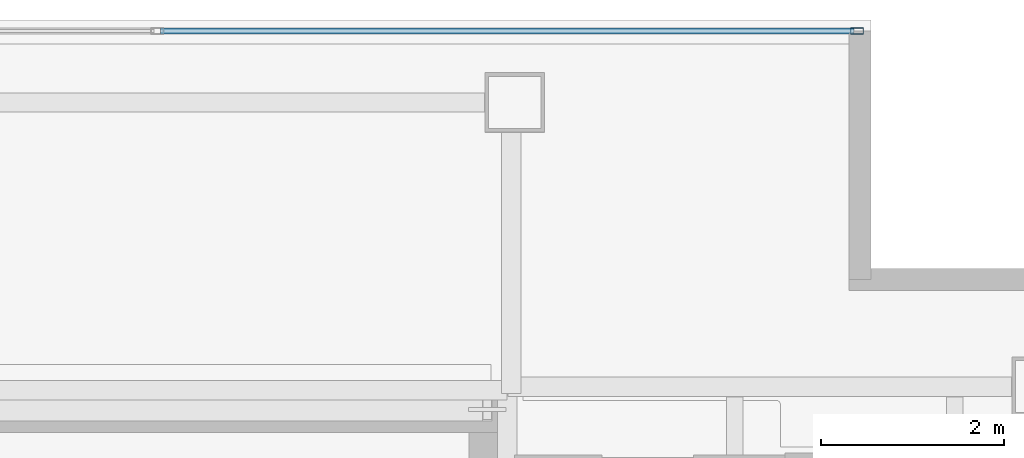
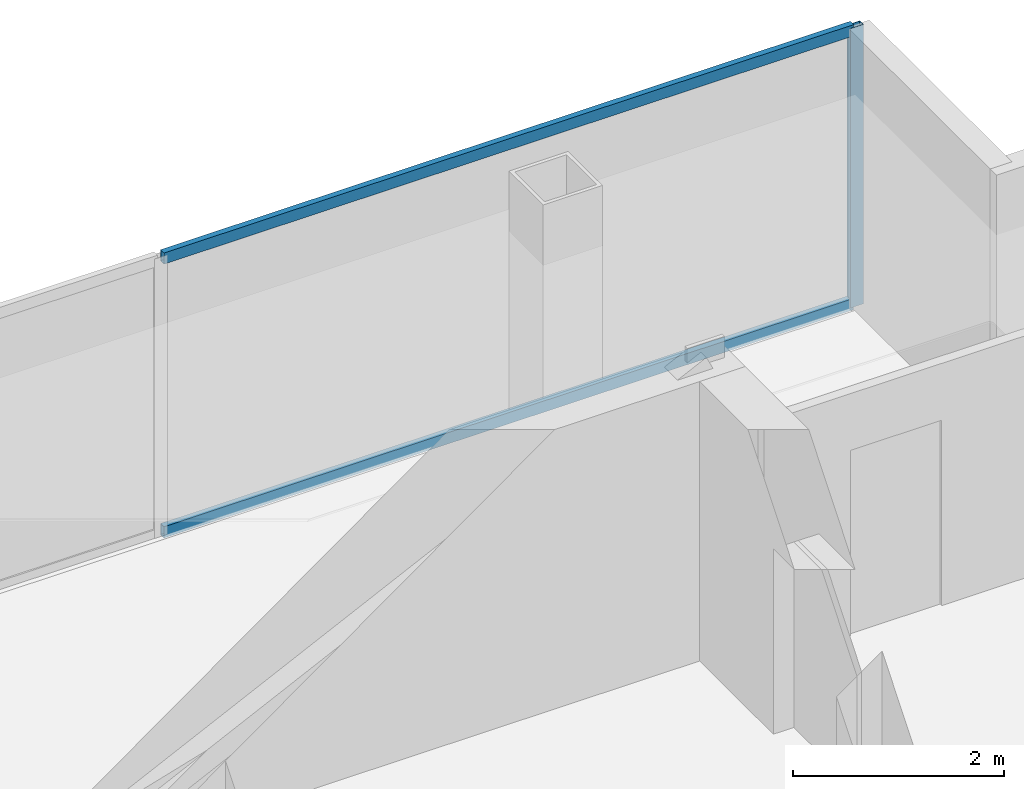
# One storey, part 18 of 23: 3 members, 1 element without a shape of its own.
"""IFC4 building model written with IfcOpenShell, lengths in metres."""

from ifc_helpers import new_model, si_unit, direction, frame, origin, origin_2d, place, context, subcontext, project, spatial, hollow_rectangle, extrude, material, material_profile, profile_set, type_object, element, aggregate, save


model = new_model("IFC4")

# Units and contexts
model_context = context("Model", 3, precision=1e-05, world=origin(), true_north=direction((0.0, 1.0)))
body_context = subcontext(model_context, "Body", "Model", "MODEL_VIEW")
ifc_project = project(units=[si_unit("LENGTHUNIT", "METRE"), si_unit("AREAUNIT", "SQUARE_METRE"), si_unit("VOLUMEUNIT", "CUBIC_METRE"), si_unit("PLANEANGLEUNIT", "RADIAN"), si_unit("MASSUNIT", "GRAM", prefix="KILO")], contexts=[model_context])

# Site, building, storey
site_placement = place(None, origin())
site = spatial("IfcSite", under=ifc_project, at=site_placement, CompositionType="ELEMENT")
building_placement = place(site_placement, origin())
building = spatial("IfcBuilding", under=site, at=building_placement, Name="Cobrela Telecom Tower", CompositionType="ELEMENT")
storey_placement = place(building_placement, frame((0.0, 0.0, 286.64990234375)))
storey = spatial("IfcBuildingStorey", under=building, at=storey_placement, Name="L75", CompositionType="ELEMENT", Elevation=286.64990234375)

# Curtain wall, members
ifc_material = material(Name="Anodized Bronze Aluminium 6063-T6", Category="aluminium")
curtain_wall_type = type_object("IfcCurtainWallType", Name="CW-SYS-OFF-HI", PredefinedType="USERDEFINED", material=ifc_material)
curtain_wall_placement = place(storey_placement, origin())
curtain_wall = element("IfcCurtainWall", 1, at=curtain_wall_placement, inside=storey, type_object=curtain_wall_type, Name="L75 Unitised Bronze Curtain Wall 05", ObjectType="UNITISED CURTAIN WALL", PredefinedType="USERDEFINED")
ifc_material_profile_1 = material_profile(ifc_material, hollow_rectangle(XDim=0.070068359375, YDim=0.139892578125, WallThickness=0.00390625, at=origin_2d()), Name="ALU 70x140x4")
ifc_profile_set_1 = profile_set([ifc_material_profile_1], Name="Anodized Bronze Aluminium 6063-T6")
member_type_1 = type_object("IfcMemberType", Name="CW-SYS-OFF-HI-MUL", PredefinedType="MULLION", material=ifc_profile_set_1)
member_1_placement = place(storey_placement, frame((18.135009765625, 39.8798828125, 0.0), z_axis=(0.0, 0.0, 1.0), x_axis=(0.0, 1.0, 0.0)))
member_1 = element("IfcMember", 2, at=member_1_placement, type_object=member_type_1, Name="CW-OFF-HI mullion 3", PredefinedType="MULLION", context=body_context, shape_type="SweptSolid", body=[
    extrude(hollow_rectangle(XDim=0.070068359375, YDim=0.139892578125, WallThickness=0.00390625, at=origin_2d()), origin(), (0.0, 0.0, 1.0), 3.239990234375),
])
ifc_material_profile_2 = material_profile(ifc_material, hollow_rectangle(XDim=0.06494140625, YDim=0.1298828125, WallThickness=0.00390625, at=origin_2d()), Name="ALU 65x130x4")
ifc_profile_set_2 = profile_set([ifc_material_profile_2], Name="Anodized Bronze Aluminium 6063-T6")
member_type_2 = type_object("IfcMemberType", Name="CW-SYS-OFF-HI-TRN", PredefinedType="USERDEFINED", material=ifc_profile_set_2)
member_2_placement = place(storey_placement, frame((10.534912109375, 39.8798828125, 0.03271484375), z_axis=(1.0, 0.0, 0.0), x_axis=(0.0, 1.0, 0.0)))
member_2 = element("IfcMember", 3, at=member_2_placement, type_object=member_type_2, Name="CW-OFF-HI transom 2.1", ObjectType="TRANSOM", PredefinedType="USERDEFINED", context=body_context, shape_type="SweptSolid", body=[
    extrude(hollow_rectangle(XDim=0.06494140625, YDim=0.1298828125, WallThickness=0.00390625, at=origin_2d()), origin(), (0.0, 0.0, 1.0), 7.565185546875),
])
member_3_placement = place(storey_placement, frame((10.534912109375, 39.8798828125, 3.20751953125), z_axis=(1.0, 0.0, 0.0), x_axis=(0.0, 1.0, 0.0)))
member_3 = element("IfcMember", 4, at=member_3_placement, type_object=member_type_2, Name="CW-OFF-HI transom 2.2", ObjectType="TRANSOM", PredefinedType="USERDEFINED", context=body_context, shape_type="SweptSolid", body=[
    extrude(hollow_rectangle(XDim=0.06494140625, YDim=0.1298828125, WallThickness=0.00390625, at=origin_2d()), origin(), (0.0, 0.0, 1.0), 7.565185546875),
])
aggregate(curtain_wall, [member_1, member_2, member_3])

save(model, "model.ifc")
